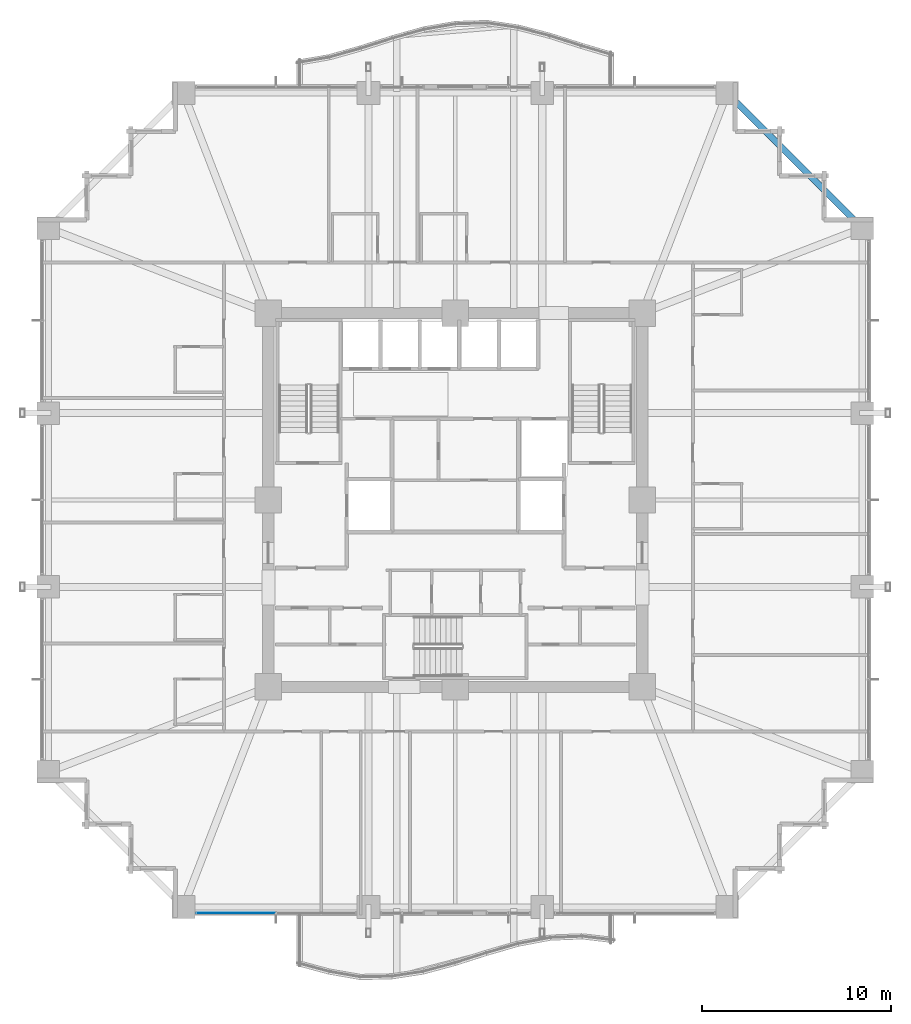
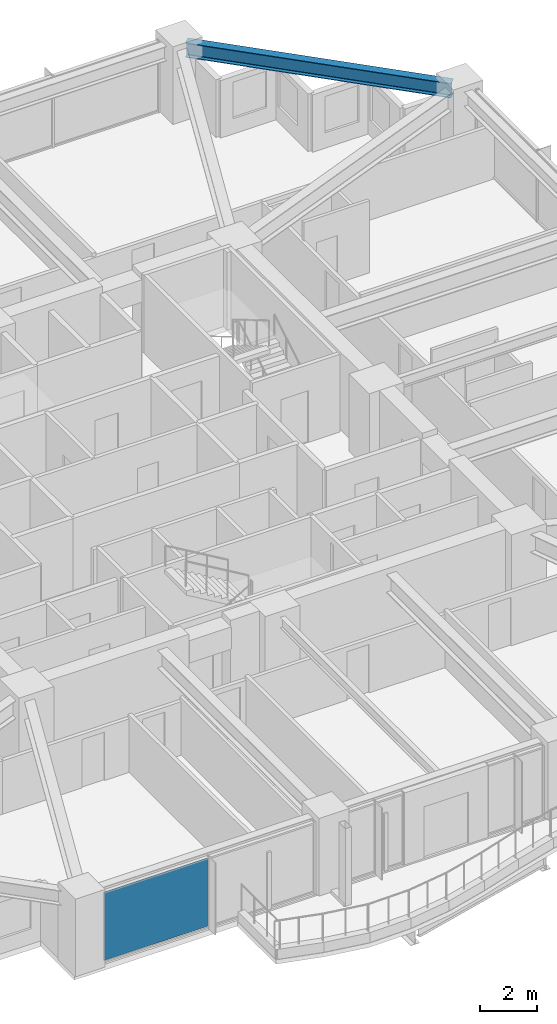
# One storey, part 25 of 38: 1 beam, 1 plate, 1 element without a shape of its own.
"""IFC4 building model written with IfcOpenShell, lengths in metres."""

from ifc_helpers import new_model, si_unit, direction, frame, origin, origin_2d, place, context, subcontext, project, spatial, rectangle, i_section, extrude, material, layer, layer_set, material_profile, profile_set, type_object, element, aggregate, save


model = new_model("IFC4")

# Units and contexts
model_context = context("Model", 3, precision=1e-05, world=origin(), true_north=direction((0.0, 1.0)))
body_context = subcontext(model_context, "Body", "Model", "MODEL_VIEW")
ifc_project = project(units=[si_unit("LENGTHUNIT", "METRE"), si_unit("AREAUNIT", "SQUARE_METRE"), si_unit("VOLUMEUNIT", "CUBIC_METRE"), si_unit("PLANEANGLEUNIT", "RADIAN"), si_unit("MASSUNIT", "GRAM", prefix="KILO")], contexts=[model_context])

# Site, building, storey
site_placement = place(None, origin())
site = spatial("IfcSite", under=ifc_project, at=site_placement, CompositionType="ELEMENT")
building_placement = place(site_placement, origin())
building = spatial("IfcBuilding", under=site, at=building_placement, Name="Kolvaren Belvedere", CompositionType="ELEMENT")
storey_placement = place(building_placement, frame((0.0, 0.0, 50.199951171875)))
storey = spatial("IfcBuildingStorey", under=building, at=storey_placement, Name="L14", CompositionType="ELEMENT", Elevation=50.199951171875)

# Beam
ifc_material_1 = material(Name="Structural steel ASTM A992 Grade 50", Category="steel")
ifc_material_profile = material_profile(ifc_material_1, i_section(OverallWidth=0.324951171875, OverallDepth=0.615966796875, WebThickness=0.013916015625, FlangeThickness=0.021484375, FilletRadius=0.02001953125, at=origin_2d()), Name="W24X117")
ifc_profile_set = profile_set([ifc_material_profile], Name="Structural steel ASTM A992 Grade 50")
beam_type = type_object("IfcBeamType", Name="BM-SPAN-W24X117", PredefinedType="SPANDREL", material=ifc_profile_set)
beam_placement = place(storey_placement, frame((21.359130859375, 14.5908203125, 2.751953125), z_axis=(-0.707106781187, 0.707106781187, 0.0), x_axis=(-0.707106781187, -0.707106781187, 0.0)))
element("IfcBeam", 1, at=beam_placement, inside=storey, type_object=beam_type, Name="L14 Perimeter Spandrel E4-N4", PredefinedType="SPANDREL", context=body_context, shape_type="SweptSolid", body=[
    extrude(i_section(OverallWidth=0.324951171875, OverallDepth=0.615966796875, WebThickness=0.013916015625, FlangeThickness=0.021484375, FilletRadius=0.02001953125, at=origin_2d()), origin(), (0.0, 0.0, 1.0), 9.57177734375),
])

# Curtain wall, plate
ifc_material_2 = material(Name="Anodised pale-metal aluminium AA 6063-T6", Category="aluminium")
curtain_wall_type = type_object("IfcCurtainWallType", Name="CW-Z1-LOW", PredefinedType="NOTDEFINED", material=ifc_material_2)
curtain_wall_placement = place(storey_placement, origin())
curtain_wall = element("IfcCurtainWall", 2, at=curtain_wall_placement, inside=storey, type_object=curtain_wall_type, Name="L14 Unitised Curtain Wall FCW-L14-S2-B2", PredefinedType="NOTDEFINED")
ifc_material_3 = material(Name="Low-iron triple insulated glass", Category="glass")
ifc_layer = layer(ifc_material_3, 0.028076171875)
ifc_layer_set = layer_set([ifc_layer], Name="Low-iron triple insulated glass")
plate_type = type_object("IfcPlateType", Name="CW-PNL-VIS28", PredefinedType="CURTAIN_PANEL", material=ifc_layer_set)
plate_placement = place(storey_placement, frame((-11.62255859375, -21.8798828125, 0.080078125), z_axis=(0.0, 0.0, 1.0), x_axis=(-1.0, 0.0, 0.0)))
plate = element("IfcPlate", 3, at=plate_placement, type_object=plate_type, Name="FCW-L14-S2-B2 Vision Glazing Panel 2", PredefinedType="CURTAIN_PANEL", context=body_context, shape_type="SweptSolid", body=[
    extrude(rectangle(XDim=4.1650390625, YDim=0.028076171875, at=origin_2d()), origin(), (0.0, 0.0, 1.0), 2.89990234375),
])
aggregate(curtain_wall, [plate])

save(model, "model.ifc")
